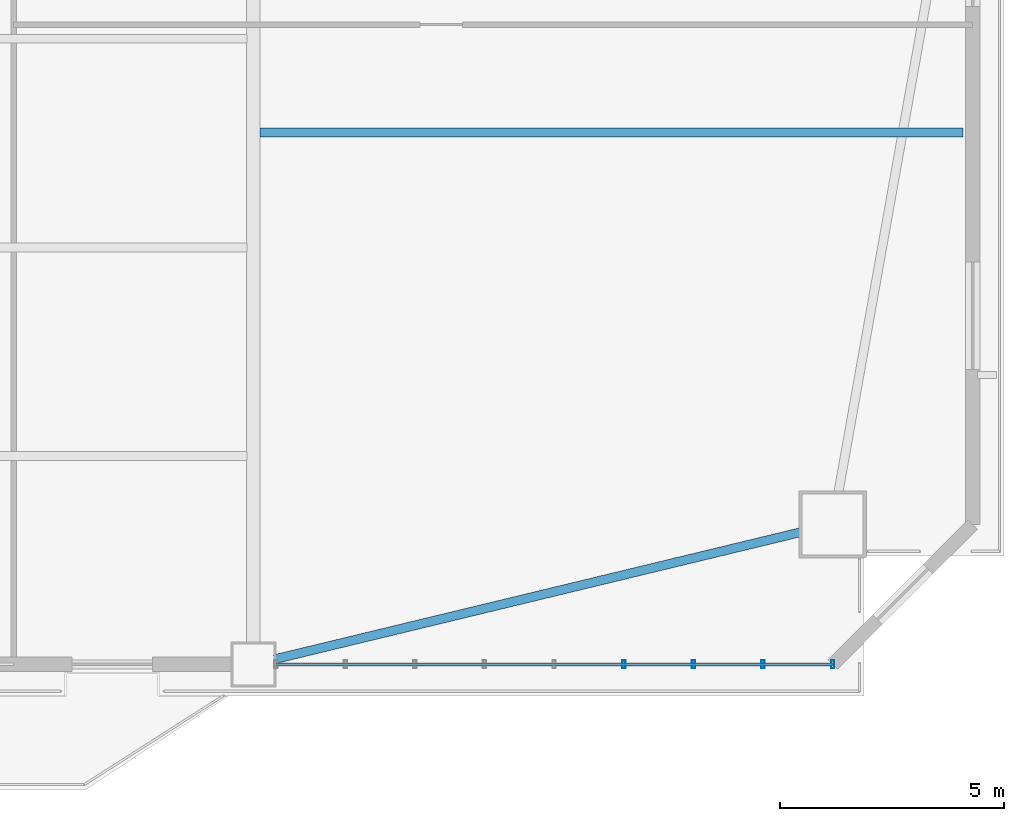
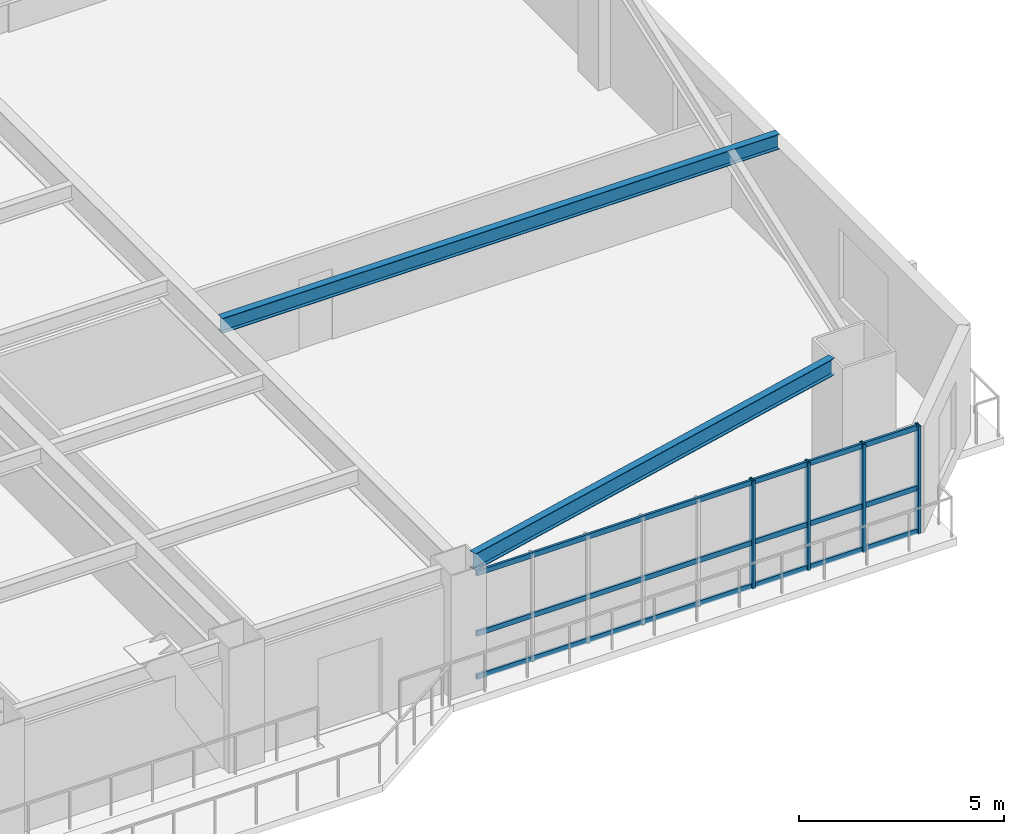
# One storey, part 7 of 18: 7 members, 2 beams, 1 element without a shape of its own.
"""IFC4 building model written with IfcOpenShell, lengths in metres."""

from ifc_helpers import new_model, si_unit, direction, frame, origin, origin_2d, place, context, subcontext, project, spatial, hollow_rectangle, i_section, extrude, source, transform, mapped, material, layer, layer_set, material_profile, profile_set, type_object, element, aggregate, save


model = new_model("IFC4")

# Units and contexts
model_context = context("Model", 3, precision=1e-05, world=origin(), true_north=direction((0.0, 1.0)))
body_context = subcontext(model_context, "Body", "Model", "MODEL_VIEW")
ifc_project = project(units=[si_unit("LENGTHUNIT", "METRE"), si_unit("AREAUNIT", "SQUARE_METRE"), si_unit("VOLUMEUNIT", "CUBIC_METRE"), si_unit("PLANEANGLEUNIT", "RADIAN"), si_unit("MASSUNIT", "GRAM", prefix="KILO")], contexts=[model_context])

# Site, building, storey
site_placement = place(None, origin())
site = spatial("IfcSite", under=ifc_project, at=site_placement, CompositionType="ELEMENT")
building_placement = place(site_placement, origin())
building = spatial("IfcBuilding", under=site, at=building_placement, Name="Giltprow Tower", CompositionType="ELEMENT")
storey_placement = place(building_placement, frame((0.0, 0.0, 61.10009765625)))
storey = spatial("IfcBuildingStorey", under=building, at=storey_placement, Name="L15", CompositionType="ELEMENT", Elevation=61.10009765625)

# Beams
ifc_material_1 = material(Name="Structural steel Q355B", Category="steel")
ifc_material_profile_1 = material_profile(ifc_material_1, i_section(OverallWidth=0.199951171875, OverallDepth=0.449951171875, WebThickness=0.009033203125, FlangeThickness=0.013916015625, at=origin_2d()), Name="HN 450x200x9x14")
ifc_profile_set_1 = profile_set([ifc_material_profile_1], Name="Structural steel Q355B")
beam_type_1 = type_object("IfcBeamType", Name="BM-JOIST-HN450", PredefinedType="JOIST", material=ifc_profile_set_1)
shared_shape_1 = source(origin(), body_context, "Body", "SweptSolid", [
    extrude(i_section(OverallWidth=0.199951171875, OverallDepth=0.449951171875, WebThickness=0.009033203125, FlangeThickness=0.013916015625, at=origin_2d()), origin(), (0.0, 0.0, 1.0), 15.680908203125),
])
beam_1_placement = place(storey_placement, frame((50.695068359375, 16.7470703125, 3.454833984375), z_axis=(1.0, 0.0, 0.0), x_axis=(0.0, 1.0, 0.0)))
element("IfcBeam", 1, at=beam_1_placement, inside=storey, type_object=beam_type_1, Name="L15 East Wing Floor Joist 1", PredefinedType="JOIST", context=body_context, shape_type="MappedRepresentation", body=[
    mapped(shared_shape_1, transform((0.0, 0.0, 0.0), x_axis=(1.0, 0.0, 0.0), y_axis=(0.0, 1.0, 0.0), z_axis=(0.0, 0.0, 1.0), scale=1.0)),
])
ifc_material_profile_2 = material_profile(ifc_material_1, i_section(OverallWidth=0.199951171875, OverallDepth=0.5, WebThickness=0.010009765625, FlangeThickness=0.01611328125, at=origin_2d()), Name="HN 500x200x10x16")
ifc_profile_set_2 = profile_set([ifc_material_profile_2], Name="Structural steel Q355B")
beam_type_2 = type_object("IfcBeamType", Name="BM-SPAN-HN500", PredefinedType="SPANDREL", material=ifc_profile_set_2)
shared_shape_2 = source(origin(), body_context, "Body", "SweptSolid", [
    extrude(i_section(OverallWidth=0.199951171875, OverallDepth=0.5, WebThickness=0.010009765625, FlangeThickness=0.01611328125, at=origin_2d()), origin(), (0.0, 0.0, 1.0), 12.076416015625),
])
beam_2_placement = place(storey_placement, frame((51.02099609375, 4.99609375, 3.429931640625), z_axis=(0.972055648708, 0.234750539542, 0.0), x_axis=(-0.234750539542, 0.972055648708, 0.0)))
element("IfcBeam", 2, at=beam_2_placement, inside=storey, type_object=beam_type_2, Name="L15 Perimeter Spandrel Beam S4-MC_SE", PredefinedType="SPANDREL", context=body_context, shape_type="MappedRepresentation", body=[
    mapped(shared_shape_2, transform((0.0, 0.0, 0.0), x_axis=(1.0, 0.0, 0.0), y_axis=(0.0, 1.0, 0.0), z_axis=(0.0, 0.0, 1.0), scale=1.0)),
])

# Curtain wall, members
ifc_material_2 = material(Name="Anodized bronze", Category="metal")
ifc_layer = layer(ifc_material_2, 0.179931640625, Name="Anodized bronze")
ifc_layer_set = layer_set([ifc_layer], Name="Anodized bronze")
curtain_wall_type = type_object("IfcCurtainWallType", Name="CW-OFF-RECESSED", PredefinedType="NOTDEFINED", material=ifc_layer_set)
curtain_wall_placement = place(storey_placement, origin())
curtain_wall = element("IfcCurtainWall", 3, at=curtain_wall_placement, inside=storey, type_object=curtain_wall_type, Name="L15 South Recessed Curtain Wall 6", PredefinedType="NOTDEFINED")
ifc_material_profile_3 = material_profile(ifc_material_2, hollow_rectangle(XDim=0.074951171875, YDim=0.179931640625, WallThickness=0.008056640625, at=origin_2d()), Name="RHS 180x75x8")
ifc_profile_set_3 = profile_set([ifc_material_profile_3], Name="Anodized bronze")
member_type_1 = type_object("IfcMemberType", Name="CW-MULLION-180x75", PredefinedType="MULLION", material=ifc_profile_set_3)
shared_shape_3 = source(origin(), body_context, "Body", "SweptSolid", [
    extrude(hollow_rectangle(XDim=0.074951171875, YDim=0.179931640625, WallThickness=0.008056640625, at=origin_2d()), origin(), (0.0, 0.0, 1.0), 3.21484375),
])
member_1_placement = place(storey_placement, frame((58.81494140625, 4.882080078125, -0.02001953125), z_axis=(0.0, 0.0, 1.0), x_axis=(1.0, 0.0, 0.0)))
member_1 = element("IfcMember", 4, at=member_1_placement, type_object=member_type_1, Name="L15 South Recessed Curtain Wall 6 Mullion 6", PredefinedType="MULLION", context=body_context, shape_type="MappedRepresentation", body=[
    mapped(shared_shape_3, transform((0.0, 0.0, 0.0), x_axis=(1.0, 0.0, 0.0), y_axis=(0.0, 1.0, 0.0), z_axis=(0.0, 0.0, 1.0), scale=1.0)),
])
member_2_placement = place(storey_placement, frame((60.367919921875, 4.882080078125, -0.02001953125), z_axis=(0.0, 0.0, 1.0), x_axis=(1.0, 0.0, 0.0)))
member_2 = element("IfcMember", 5, at=member_2_placement, type_object=member_type_1, Name="L15 South Recessed Curtain Wall 6 Mullion 7", PredefinedType="MULLION", context=body_context, shape_type="MappedRepresentation", body=[
    mapped(shared_shape_3, transform((0.0, 0.0, 0.0), x_axis=(1.0, 0.0, 0.0), y_axis=(0.0, 1.0, 0.0), z_axis=(0.0, 0.0, 1.0), scale=1.0)),
])
member_3_placement = place(storey_placement, frame((61.9208984375, 4.882080078125, -0.02001953125), z_axis=(0.0, 0.0, 1.0), x_axis=(1.0, 0.0, 0.0)))
member_3 = element("IfcMember", 6, at=member_3_placement, type_object=member_type_1, Name="L15 South Recessed Curtain Wall 6 Mullion 8", PredefinedType="MULLION", context=body_context, shape_type="MappedRepresentation", body=[
    mapped(shared_shape_3, transform((0.0, 0.0, 0.0), x_axis=(1.0, 0.0, 0.0), y_axis=(0.0, 1.0, 0.0), z_axis=(0.0, 0.0, 1.0), scale=1.0)),
])
member_4_placement = place(storey_placement, frame((63.47412109375, 4.882080078125, -0.02001953125), z_axis=(0.0, 0.0, 1.0), x_axis=(1.0, 0.0, 0.0)))
member_4 = element("IfcMember", 7, at=member_4_placement, type_object=member_type_1, Name="L15 South Recessed Curtain Wall 6 Mullion 9", PredefinedType="MULLION", context=body_context, shape_type="MappedRepresentation", body=[
    mapped(shared_shape_3, transform((0.0, 0.0, 0.0), x_axis=(1.0, 0.0, 0.0), y_axis=(0.0, 1.0, 0.0), z_axis=(0.0, 0.0, 1.0), scale=1.0)),
])
ifc_material_profile_4 = material_profile(ifc_material_2, hollow_rectangle(XDim=0.06494140625, YDim=0.14990234375, WallThickness=0.006103515625, at=origin_2d()), Name="RHS 150x65x6")
ifc_profile_set_4 = profile_set([ifc_material_profile_4], Name="Anodized bronze")
member_type_2 = type_object("IfcMemberType", Name="CW-TRANSOM-150x65", PredefinedType="USERDEFINED", material=ifc_profile_set_4)
shared_shape_4 = source(origin(), body_context, "Body", "SweptSolid", [
    extrude(hollow_rectangle(XDim=0.06494140625, YDim=0.14990234375, WallThickness=0.006103515625, at=origin_2d()), origin(), (0.0, 0.0, 1.0), 12.424072265625),
])
member_5_placement = place(storey_placement, frame((51.050048828125, 4.882080078125, 0.039794921875), z_axis=(1.0, 0.0, 0.0), x_axis=(0.0, 1.0, 0.0)))
member_5 = element("IfcMember", 8, at=member_5_placement, type_object=member_type_2, Name="L15 South Recessed Curtain Wall 6 Transom 1", ObjectType="TRANSOM", PredefinedType="USERDEFINED", context=body_context, shape_type="MappedRepresentation", body=[
    mapped(shared_shape_4, transform((0.0, 0.0, 0.0), x_axis=(1.0, 0.0, 0.0), y_axis=(0.0, 1.0, 0.0), z_axis=(0.0, 0.0, 1.0), scale=1.0)),
])
member_6_placement = place(storey_placement, frame((51.050048828125, 4.882080078125, 1.326904296875), z_axis=(1.0, 0.0, 0.0), x_axis=(0.0, 1.0, 0.0)))
member_6 = element("IfcMember", 9, at=member_6_placement, type_object=member_type_2, Name="L15 South Recessed Curtain Wall 6 Transom 2", ObjectType="TRANSOM", PredefinedType="USERDEFINED", context=body_context, shape_type="MappedRepresentation", body=[
    mapped(shared_shape_4, transform((0.0, 0.0, 0.0), x_axis=(1.0, 0.0, 0.0), y_axis=(0.0, 1.0, 0.0), z_axis=(0.0, 0.0, 1.0), scale=1.0)),
])
member_7_placement = place(storey_placement, frame((51.050048828125, 4.882080078125, 3.119873046875), z_axis=(1.0, 0.0, 0.0), x_axis=(0.0, 1.0, 0.0)))
member_7 = element("IfcMember", 10, at=member_7_placement, type_object=member_type_2, Name="L15 South Recessed Curtain Wall 6 Transom 3", ObjectType="TRANSOM", PredefinedType="USERDEFINED", context=body_context, shape_type="MappedRepresentation", body=[
    mapped(shared_shape_4, transform((0.0, 0.0, 0.0), x_axis=(1.0, 0.0, 0.0), y_axis=(0.0, 1.0, 0.0), z_axis=(0.0, 0.0, 1.0), scale=1.0)),
])
aggregate(curtain_wall, [member_1, member_2, member_3, member_4, member_5, member_6, member_7])

save(model, "model.ifc")
